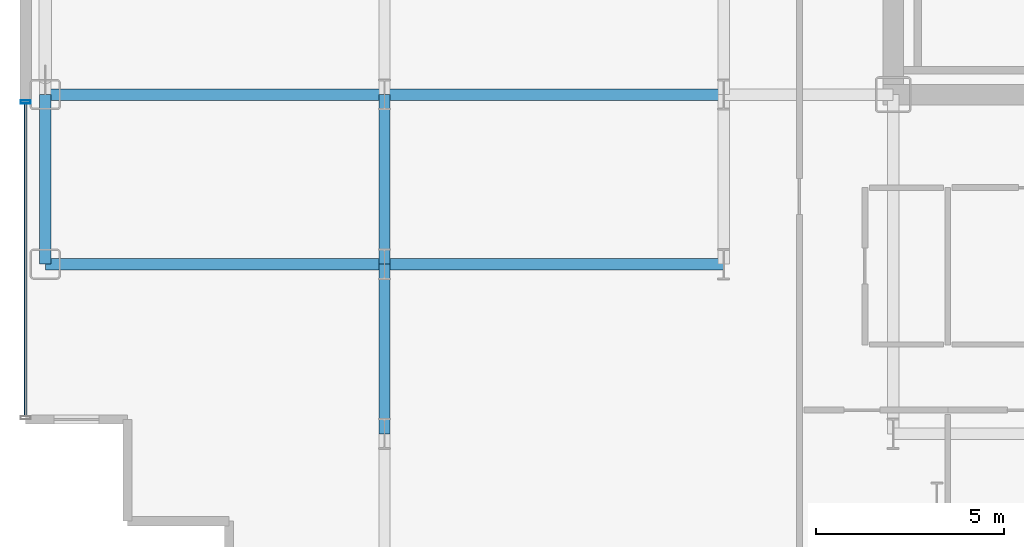
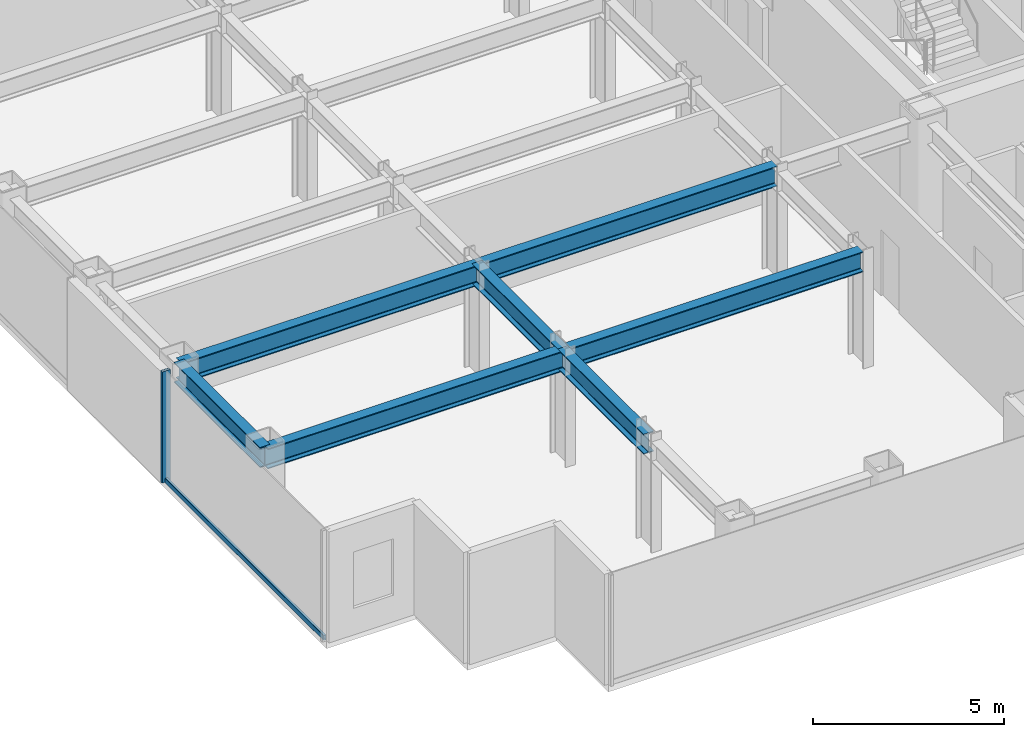
# One storey, part 4 of 26: 7 beams, 2 members, 1 element without a shape of its own.
"""IFC4 building model written with IfcOpenShell, lengths in metres."""

import ifcopenshell
import ifcopenshell.guid

model = None  # the IFC model being written
_history = None  # IfcOwnerHistory: only IFC2X3 demands one
_inside = {}  # id of a spatial element -> (the spatial element, [elements in it])
_under = {}  # id of a project, library or spatial element -> (it, [spatial elements below it])
_declared = {}  # id of a project -> (the project, [libraries it declares])
_typed = {}  # id of a type object -> (the type object, [elements of that type])
_made_of = {}  # id of a material, layer set ... -> (it, [elements and type objects made of it])


def new_model(schema):
    """Start an empty IFC model of exactly this schema.

    Asked for "IFC4X3", IfcOpenShell would pick the latest addendum, in which some entities
    have other attributes; the version numbers below select the first issue.
    IFC2X3 requires an IfcOwnerHistory on every rooted entity: one is made here for all.
    """
    global model, _history
    if schema == "IFC4X3":
        model = ifcopenshell.file(schema_version=(4, 3, 0, 0))
    else:
        model = ifcopenshell.file(schema=schema)
    _inside.clear()
    _under.clear()
    _declared.clear()
    _typed.clear()
    _made_of.clear()
    _history = None
    if model.schema == "IFC2X3":
        org = make("IfcOrganization", Name="unknown")
        user = make(
            "IfcPersonAndOrganization",
            ThePerson=make("IfcPerson", FamilyName="unknown"),
            TheOrganization=org,
        )
        app = make(
            "IfcApplication",
            ApplicationDeveloper=org,
            Version="unknown",
            ApplicationFullName="unknown",
            ApplicationIdentifier="unknown",
        )
        _history = make(
            "IfcOwnerHistory",
            OwningUser=user,
            OwningApplication=app,
            ChangeAction="ADDED",
            CreationDate=0,
        )
    return model


def make(cls, **values):
    """One entity of the class cls with the attributes given. An attribute that is None is left unset."""
    return model.create_entity(
        cls, **{name: value for name, value in values.items() if value is not None}
    )


def rooted(cls, **values):
    """An entity with a GlobalId (a new one), such as an element, a storey or a relation."""
    return make(cls, GlobalId=ifcopenshell.guid.new(), OwnerHistory=_history, **values)


def si_unit(unit_type, name, prefix=None):
    """IfcSIUnit, for example si_unit("LENGTHUNIT", "METRE", prefix="MILLI")."""
    return make("IfcSIUnit", UnitType=unit_type, Prefix=prefix, Name=name)


def assignment(units):
    """IfcUnitAssignment: the units of a project."""
    return None if units is None else make("IfcUnitAssignment", Units=units)


def point(xyz):
    """IfcCartesianPoint."""
    return None if xyz is None else make("IfcCartesianPoint", Coordinates=xyz)


def direction(xyz):
    """IfcDirection."""
    return None if xyz is None else make("IfcDirection", DirectionRatios=xyz)


def frame(location, z_axis=None, x_axis=None):
    """IfcAxis2Placement3D, a coordinate frame: its origin and axes. An axis left out is left unset."""
    return make(
        "IfcAxis2Placement3D",
        Location=point(location),
        Axis=direction(z_axis),
        RefDirection=direction(x_axis),
    )


def frame_2d(location, x_axis=None):
    """IfcAxis2Placement2D, a coordinate frame in the plane: its origin and x axis."""
    return make(
        "IfcAxis2Placement2D", Location=point(location), RefDirection=direction(x_axis)
    )


def origin():
    """The frame at (0, 0, 0) with its axes left unset."""
    return frame((0.0, 0.0, 0.0))


def origin_2d():
    """The frame at (0, 0) in the plane with its x axis left unset."""
    return frame_2d((0.0, 0.0))


def place(relative_to, where):
    """IfcLocalPlacement: puts the frame where relative to a parent placement (None: the world)."""
    return make(
        "IfcLocalPlacement", PlacementRelTo=relative_to, RelativePlacement=where
    )


def context(
    kind, dimensions, precision=None, world=None, true_north=None, identifier=None
):
    """IfcGeometricRepresentationContext, for example the 3D "Model" context."""
    return make(
        "IfcGeometricRepresentationContext",
        ContextIdentifier=identifier,
        ContextType=kind,
        CoordinateSpaceDimension=dimensions,
        Precision=precision,
        WorldCoordinateSystem=world,
        TrueNorth=true_north,
    )


def subcontext(parent, identifier, kind, view, scale=None):
    """IfcGeometricRepresentationSubContext, for example "Body" below "Model"."""
    return make(
        "IfcGeometricRepresentationSubContext",
        ContextIdentifier=identifier,
        ContextType=kind,
        ParentContext=parent,
        TargetScale=scale,
        TargetView=view,
    )


def project(units=None, contexts=None):
    """IfcProject with its units and contexts."""
    return rooted(
        "IfcProject",
        Name="project",
        RepresentationContexts=contexts,
        UnitsInContext=assignment(units),
    )


def spatial(cls, under=None, at=None, **own):
    """A site, building, storey or space (cls), placed at a placement, below another one or the project."""
    s = rooted(cls, ObjectPlacement=at, **own)
    if under is not None:
        _under.setdefault(under.id(), (under, []))[1].append(s)
    return s


def profile(cls, at=None, kind="AREA", **sizes):
    """A parametric profile (cls). Its sizes go by their IFC names, for example OverallWidth=200.0."""
    return make(cls, ProfileType=kind, Position=at, **sizes)


def hollow_rectangle(**sizes):
    """IfcRectangleHollowProfileDef."""
    return profile("IfcRectangleHollowProfileDef", **sizes)


def i_section(**sizes):
    """IfcIShapeProfileDef."""
    return profile("IfcIShapeProfileDef", **sizes)


def extrude(swept, where, along, depth):
    """IfcExtrudedAreaSolid: the profile swept, set in the frame where, extruded along a direction by depth."""
    return make(
        "IfcExtrudedAreaSolid",
        SweptArea=swept,
        Position=where,
        ExtrudedDirection=direction(along),
        Depth=depth,
    )


def shape(context_of_items, identifier, shape_type, items):
    """IfcShapeRepresentation: the items that make up one representation, for example the "Body"."""
    return make(
        "IfcShapeRepresentation",
        ContextOfItems=context_of_items,
        RepresentationIdentifier=identifier,
        RepresentationType=shape_type,
        Items=items,
    )


def source(mapping_origin, context_of_items, identifier, shape_type, items):
    """IfcRepresentationMap: a shape defined once, which mapped items show again and again."""
    return make(
        "IfcRepresentationMap",
        MappingOrigin=mapping_origin,
        MappedRepresentation=shape(context_of_items, identifier, shape_type, items),
    )


def transform(
    local_origin,
    x_axis=None,
    y_axis=None,
    z_axis=None,
    scale=None,
    scale2=None,
    scale3=None,
    uniform=True,
):
    """IfcCartesianTransformationOperator3D, or its non-uniform kind. x_axis, y_axis, z_axis: its Axis1, 2, 3."""
    if uniform:
        return make(
            "IfcCartesianTransformationOperator3D",
            Axis1=direction(x_axis),
            Axis2=direction(y_axis),
            LocalOrigin=point(local_origin),
            Scale=scale,
            Axis3=direction(z_axis),
        )
    return make(
        "IfcCartesianTransformationOperator3DnonUniform",
        Axis1=direction(x_axis),
        Axis2=direction(y_axis),
        LocalOrigin=point(local_origin),
        Scale=scale,
        Axis3=direction(z_axis),
        Scale2=scale2,
        Scale3=scale3,
    )


def mapped(mapping_source, mapping_target):
    """IfcMappedItem: shows the shape of a source again, moved by a transform."""
    return make(
        "IfcMappedItem", MappingSource=mapping_source, MappingTarget=mapping_target
    )


def material(Name=None, Category=None):
    """IfcMaterial."""
    return make("IfcMaterial", Name=Name, Category=Category)


def layer(
    of_material, thickness, ventilated=None, Name=None, Category=None, Priority=None
):
    """IfcMaterialLayer: one layer of a wall or slab, of a material (None: an air gap)."""
    return make(
        "IfcMaterialLayer",
        Material=of_material,
        LayerThickness=thickness,
        IsVentilated=ventilated,
        Name=Name,
        Category=Category,
        Priority=Priority,
    )


def layer_set(layers, Name=None):
    """IfcMaterialLayerSet."""
    return make("IfcMaterialLayerSet", MaterialLayers=layers, LayerSetName=Name)


def material_profile(
    of_material, cross_section, Name=None, Category=None, Priority=None
):
    """IfcMaterialProfile: a cross section and its material."""
    return make(
        "IfcMaterialProfile",
        Name=Name,
        Material=of_material,
        Profile=cross_section,
        Priority=Priority,
        Category=Category,
    )


def profile_set(profiles, Name=None, composite=None):
    """IfcMaterialProfileSet."""
    return make(
        "IfcMaterialProfileSet",
        Name=Name,
        MaterialProfiles=profiles,
        CompositeProfile=composite,
    )


def made_of(thing, what):
    """Note that an element or type object is made of a material, layer set ...; save() writes the relation."""
    if what is not None:
        _made_of.setdefault(what.id(), (what, []))[1].append(thing)
    return thing


def type_object(cls, material=None, **own):
    """A type object (cls), such as IfcWallType, which elements share."""
    return made_of(rooted(cls, **own), material)


def element(
    cls,
    number,
    at=None,
    inside=None,
    cuts=None,
    type_object=None,
    material=None,
    context=None,
    identifier="Body",
    shape_type=None,
    held_by="IfcProductDefinitionShape",
    body=None,
    shapes=None,
    **own,
):
    """One element of the class cls, such as IfcWall. Its Tag is "e" and its number.

    at: its placement. inside: the storey or other place that contains it. cuts: it is an
    opening in that element (IfcRelVoidsElement). A single representation is given by context,
    identifier, shape_type and body (its items); several are given by shapes. held_by: the class
    of the entity that holds the representations. save() writes the other relations.
    """
    e = rooted(cls, Tag="e%d" % number, ObjectPlacement=at, **own)
    if body is not None:
        shapes = [shape(context, identifier, shape_type, body)]
    if shapes is not None:
        e.Representation = make(held_by, Representations=shapes)
    if inside is not None:
        _inside.setdefault(inside.id(), (inside, []))[1].append(e)
    if cuts is not None:
        rooted(
            "IfcRelVoidsElement", RelatingBuildingElement=cuts, RelatedOpeningElement=e
        )
    if type_object is not None:
        _typed.setdefault(type_object.id(), (type_object, []))[1].append(e)
    return made_of(e, material)


def aggregate(whole, parts):
    """IfcRelAggregates: a whole, such as a stair, and the parts it consists of."""
    return rooted("IfcRelAggregates", RelatingObject=whole, RelatedObjects=parts)


def save(model, path):
    """Write the relations noted so far, then the file.

    IfcRelAggregates (storeys below a building ...), IfcRelContainedInSpatialStructure (elements
    in a storey), IfcRelDefinesByType, IfcRelAssociatesMaterial and IfcRelDeclares: one each for
    every whole, place, type object, material and project.
    """
    for whole, parts in _under.values():
        aggregate(whole, parts)
    for where, things in _inside.values():
        rooted(
            "IfcRelContainedInSpatialStructure",
            RelatedElements=things,
            RelatingStructure=where,
        )
    for kind, things in _typed.values():
        rooted("IfcRelDefinesByType", RelatedObjects=things, RelatingType=kind)
    for what, things in _made_of.values():
        rooted("IfcRelAssociatesMaterial", RelatedObjects=things, RelatingMaterial=what)
    for by, libraries in _declared.values():
        rooted("IfcRelDeclares", RelatingContext=by, RelatedDefinitions=libraries)
    model.write(path)


model = new_model("IFC4")

# Units and contexts
model_context = context("Model", 3, precision=1e-05, world=origin(), true_north=direction((0.0, 1.0)))
body_context = subcontext(model_context, "Body", "Model", "MODEL_VIEW")
ifc_project = project(units=[si_unit("LENGTHUNIT", "METRE"), si_unit("AREAUNIT", "SQUARE_METRE"), si_unit("VOLUMEUNIT", "CUBIC_METRE"), si_unit("PLANEANGLEUNIT", "RADIAN"), si_unit("MASSUNIT", "GRAM", prefix="KILO")], contexts=[model_context])

# Site, building, storey
site_placement = place(None, origin())
site = spatial("IfcSite", under=ifc_project, at=site_placement, CompositionType="ELEMENT")
building_placement = place(site_placement, origin())
building = spatial("IfcBuilding", under=site, at=building_placement, Name="Nefas-Gora Pilgrimage Tower", CompositionType="ELEMENT")
storey_placement = place(building_placement, frame((0.0, 0.0, 171.60009765625)))
storey = spatial("IfcBuildingStorey", under=building, at=storey_placement, Name="L42", CompositionType="ELEMENT", Elevation=171.60009765625)

# Beams
ifc_material_1 = material(Name="Steel S355", Category="steel")
ifc_material_profile_1 = material_profile(ifc_material_1, i_section(OverallWidth=0.300048828125, OverallDepth=0.64990234375, WebThickness=0.01611328125, FlangeThickness=0.031005859375, FilletRadius=0.027099609375, at=origin_2d()), Name="HEB 650")
ifc_profile_set_1 = profile_set([ifc_material_profile_1], Name="Steel S355")
beam_type_1 = type_object("IfcBeamType", Name="BM-SPN-HEB500", PredefinedType="SPANDREL", material=ifc_profile_set_1)
shared_shape_1 = source(origin(), body_context, "Body", "SweptSolid", [
    extrude(i_section(OverallWidth=0.300048828125, OverallDepth=0.64990234375, WebThickness=0.01611328125, FlangeThickness=0.031005859375, FilletRadius=0.027099609375, at=origin_2d()), origin(), (0.0, 0.0, 1.0), 4.5),
])
beam_placement = place(storey_placement, frame((-33.75, -13.5, 3.224853515625), z_axis=(0.0, 1.0, 0.0), x_axis=(-1.0, 0.0, 0.0)))
element("IfcBeam", 1, at=beam_placement, inside=storey, type_object=beam_type_1, Name="L42 SP-02 beam", PredefinedType="SPANDREL", context=body_context, shape_type="MappedRepresentation", body=[
    mapped(shared_shape_1, transform((0.0, 0.0, 0.0), x_axis=(1.0, 0.0, 0.0), y_axis=(0.0, 1.0, 0.0), z_axis=(0.0, 0.0, 1.0), scale=1.0)),
])
ifc_material_profile_2 = material_profile(ifc_material_1, i_section(OverallWidth=0.300048828125, OverallDepth=0.64990234375, WebThickness=0.01611328125, FlangeThickness=0.031005859375, FilletRadius=0.027099609375, at=origin_2d()), Name="HEB 650")
ifc_profile_set_2 = profile_set([ifc_material_profile_2], Name="Steel S355")
beam_type_2 = type_object("IfcBeamType", Name="BM-GIR-HEB650", PredefinedType="BEAM", material=ifc_profile_set_2)
shared_shape_2 = source(origin(), body_context, "Body", "SweptSolid", [
    extrude(i_section(OverallWidth=0.300048828125, OverallDepth=0.64990234375, WebThickness=0.01611328125, FlangeThickness=0.031005859375, FilletRadius=0.027099609375, at=origin_2d()), origin(), (0.0, 0.0, 1.0), 9.0),
])
for number, where, z_axis, x_axis, name in (
    (2, (-33.75, -13.5, 3.224853515625), (1.0, 0.0, 0.0), (0.0, 1.0, 0.0), "L42 G-03 beam"),
    (3, (-33.75, -9.0, 3.224853515625), (1.0, 0.0, 0.0), (0.0, 1.0, 0.0), "L42 G-03 beam"),
    (4, (-24.75, -13.5, 3.224853515625), (1.0, 0.0, 0.0), (0.0, 1.0, 0.0), "L42 G-03 beam"),
    (5, (-24.75, -9.0, 3.224853515625), (1.0, 0.0, 0.0), (0.0, 1.0, 0.0), "L42 G-03 beam"),
):
    element("IfcBeam", number, at=place(storey_placement, frame(where, z_axis=z_axis, x_axis=x_axis)), inside=storey, type_object=beam_type_2, Name=name, PredefinedType="BEAM", context=body_context, shape_type="MappedRepresentation", body=[
        mapped(shared_shape_2, transform((0.0, 0.0, 0.0), x_axis=(1.0, 0.0, 0.0), y_axis=(0.0, 1.0, 0.0), z_axis=(0.0, 0.0, 1.0), scale=1.0)),
    ])
shared_shape_3 = source(origin(), body_context, "Body", "SweptSolid", [
    extrude(i_section(OverallWidth=0.300048828125, OverallDepth=0.64990234375, WebThickness=0.01611328125, FlangeThickness=0.031005859375, FilletRadius=0.027099609375, at=origin_2d()), origin(), (0.0, 0.0, 1.0), 4.5),
])
for number, where, z_axis, x_axis, name in (
    (6, (-24.75, -18.0, 3.224853515625), (0.0, 1.0, 0.0), (-1.0, 0.0, 0.0), "L42 G-03 beam"),
    (7, (-24.75, -13.5, 3.224853515625), (0.0, 1.0, 0.0), (-1.0, 0.0, 0.0), "L42 G-03 beam"),
):
    element("IfcBeam", number, at=place(storey_placement, frame(where, z_axis=z_axis, x_axis=x_axis)), inside=storey, type_object=beam_type_2, Name=name, PredefinedType="BEAM", context=body_context, shape_type="MappedRepresentation", body=[
        mapped(shared_shape_3, transform((0.0, 0.0, 0.0), x_axis=(1.0, 0.0, 0.0), y_axis=(0.0, 1.0, 0.0), z_axis=(0.0, 0.0, 1.0), scale=1.0)),
    ])

# Curtain wall, members
ifc_material_2 = material(Name="Dark ceramic-fritted solar-control aluminium-glass curtain wall", Category="aluminium")
ifc_layer = layer(ifc_material_2, 0.219970703125)
ifc_layer_set = layer_set([ifc_layer], Name="Dark ceramic-fritted solar-control aluminium-glass curtain wall")
curtain_wall_type = type_object("IfcCurtainWallType", Name="CW-SYS-3", PredefinedType="NOTDEFINED", material=ifc_layer_set)
curtain_wall_placement = place(storey_placement, origin())
curtain_wall = element("IfcCurtainWall", 8, at=curtain_wall_placement, inside=storey, type_object=curtain_wall_type, Name="L42 Unitised Curtain Wall CW3", PredefinedType="NOTDEFINED")
ifc_material_3 = material(Name="Anodised architectural aluminium", Category="aluminium")
ifc_material_profile_3 = material_profile(ifc_material_3, hollow_rectangle(XDim=0.080078125, YDim=0.159912109375, WallThickness=0.00439453125, InnerFilletRadius=0.00439453125, OuterFilletRadius=0.009033203125, at=origin_2d()), Name="ALU TRANSOM 80x160")
ifc_profile_set_3 = profile_set([ifc_material_profile_3], Name="Anodised architectural aluminium")
member_type_1 = type_object("IfcMemberType", Name="CWM-TRN-3", PredefinedType="USERDEFINED", material=ifc_profile_set_3)
shared_shape_4 = source(origin(), body_context, "Body", "SweptSolid", [
    extrude(hollow_rectangle(XDim=0.080078125, YDim=0.159912109375, WallThickness=0.00439453125, InnerFilletRadius=0.00439453125, OuterFilletRadius=0.009033203125, at=origin_2d()), origin(), (0.0, 0.0, 1.0), 8.2900390625),
])
member_1_placement = place(storey_placement, frame((-34.27001953125, -9.239990234375, 0.0498046875), z_axis=(0.0, -1.0, 0.0), x_axis=(1.0, 0.0, 0.0)))
member_1 = element("IfcMember", 9, at=member_1_placement, type_object=member_type_1, Name="CW3 Spandrel Transom", ObjectType="TRANSOM", PredefinedType="USERDEFINED", context=body_context, shape_type="MappedRepresentation", body=[
    mapped(shared_shape_4, transform((0.0, 0.0, 0.0), x_axis=(1.0, 0.0, 0.0), y_axis=(0.0, 1.0, 0.0), z_axis=(0.0, 0.0, 1.0), scale=1.0)),
])
ifc_material_profile_4 = material_profile(ifc_material_3, hollow_rectangle(XDim=0.090087890625, YDim=0.260009765625, WallThickness=0.006103515625, InnerFilletRadius=0.006103515625, OuterFilletRadius=0.011962890625, at=origin_2d()), Name="ALU MULLION 90x260")
ifc_profile_set_4 = profile_set([ifc_material_profile_4], Name="Anodised architectural aluminium")
member_type_2 = type_object("IfcMemberType", Name="CWM-MUL-3", PredefinedType="MULLION", material=ifc_profile_set_4)
shared_shape_5 = source(origin(), body_context, "Body", "SweptSolid", [
    extrude(hollow_rectangle(XDim=0.090087890625, YDim=0.260009765625, WallThickness=0.006103515625, InnerFilletRadius=0.006103515625, OuterFilletRadius=0.011962890625, at=origin_2d()), origin(), (0.0, 0.0, 1.0), 3.5498046875),
])
member_2_placement = place(storey_placement, frame((-34.27001953125, -9.195068359375, 0.0), z_axis=(0.0, 0.0, 1.0), x_axis=(0.0, -1.0, 0.0)))
member_2 = element("IfcMember", 10, at=member_2_placement, type_object=member_type_2, Name="CW3 Mullion 1", PredefinedType="MULLION", context=body_context, shape_type="MappedRepresentation", body=[
    mapped(shared_shape_5, transform((0.0, 0.0, 0.0), x_axis=(1.0, 0.0, 0.0), y_axis=(0.0, 1.0, 0.0), z_axis=(0.0, 0.0, 1.0), scale=1.0)),
])
aggregate(curtain_wall, [member_2, member_1])

save(model, "model.ifc")
